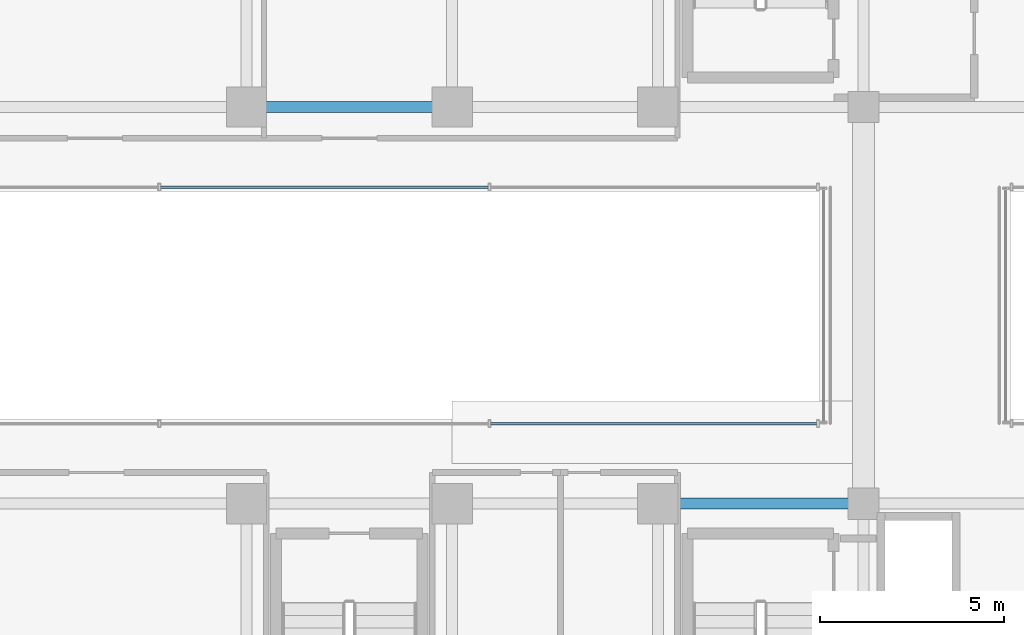
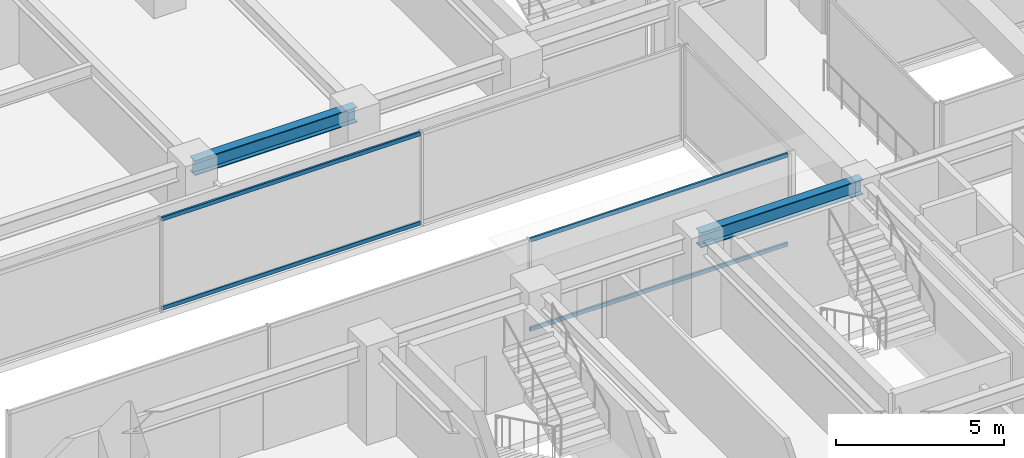
# One storey, part 11 of 37: 4 members, 2 beams, 2 elements without a shape of their own.
"""IFC4 building model written with IfcOpenShell, lengths in metres."""

from ifc_helpers import new_model, si_unit, direction, frame, origin, origin_2d, place, context, subcontext, project, spatial, hollow_rectangle, i_section, extrude, source, transform, mapped, material, material_profile, profile_set, type_object, element, aggregate, save


model = new_model("IFC4")

# Units and contexts
model_context = context("Model", 3, precision=1e-05, world=origin(), true_north=direction((0.0, 1.0)))
body_context = subcontext(model_context, "Body", "Model", "MODEL_VIEW")
ifc_project = project(units=[si_unit("LENGTHUNIT", "METRE"), si_unit("AREAUNIT", "SQUARE_METRE"), si_unit("VOLUMEUNIT", "CUBIC_METRE"), si_unit("PLANEANGLEUNIT", "RADIAN"), si_unit("MASSUNIT", "GRAM", prefix="KILO")], contexts=[model_context])

# Site, building, storey
site_placement = place(None, origin())
site = spatial("IfcSite", under=ifc_project, at=site_placement, CompositionType="ELEMENT")
building_placement = place(site_placement, origin())
building = spatial("IfcBuilding", under=site, at=building_placement, Name="Nahalor Promenade Grand Hotel", CompositionType="ELEMENT")
storey_placement = place(building_placement, frame((0.0, 0.0, 167.25)))
storey = spatial("IfcBuildingStorey", under=building, at=storey_placement, Name="L42", CompositionType="ELEMENT", Elevation=167.25)

# Beams
ifc_material_1 = material(Name="Steel S355JR", Category="steel")
ifc_material_profile_1 = material_profile(ifc_material_1, i_section(OverallWidth=0.3, OverallDepth=0.55, WebThickness=0.015, FlangeThickness=0.029, at=origin_2d()), Name="HEB 550")
ifc_profile_set_1 = profile_set([ifc_material_profile_1], Name="Steel S355JR")
beam_type = type_object("IfcBeamType", Name="Beam-Girder-HEB550", PredefinedType="BEAM", material=ifc_profile_set_1)
shared_shape_1 = source(origin(), body_context, "Body", "SweptSolid", [
    extrude(i_section(OverallWidth=0.3, OverallDepth=0.55, WebThickness=0.015, FlangeThickness=0.029, at=origin_2d()), origin(), (0.0, 0.0, 1.0), 5.599853515625),
])
for number, where, z_axis, x_axis, name in (
    (1, (2.800048828125, -5.39990234375, 3.114990234375), (1.0, 0.0, 0.0), (0.0, 1.0, 0.0), "BM-L42-GX-1-4"),
    (2, (-8.39990234375, 5.39990234375, 3.114990234375), (1.0, 0.0, 0.0), (0.0, 1.0, 0.0), "BM-L42-GX-2-2"),
):
    element("IfcBeam", number, at=place(storey_placement, frame(where, z_axis=z_axis, x_axis=x_axis)), inside=storey, type_object=beam_type, Name=name, PredefinedType="BEAM", context=body_context, shape_type="MappedRepresentation", body=[
        mapped(shared_shape_1, transform((0.0, 0.0, 0.0), scale=1.0)),
    ])

# Curtain wall, members
ifc_material_2 = material(Name="Anodised Bronze Aluminium EN AW-6063 T6", Category="aluminium")
curtain_wall_type = type_object("IfcCurtainWallType", Name="CW3 Elliptical-Void Collar Unitised Curtain Wall", PredefinedType="USERDEFINED", material=ifc_material_2)
curtain_wall_1_placement = place(storey_placement, origin())
curtain_wall_1 = element("IfcCurtainWall", 3, at=curtain_wall_1_placement, inside=storey, type_object=curtain_wall_type, Name="L42 Curtain Wall CW-L42-VOID-WS1", ObjectType="UNITISED_CURTAIN_WALL", PredefinedType="USERDEFINED")
ifc_material_profile_2 = material_profile(ifc_material_2, hollow_rectangle(XDim=0.07, YDim=0.14, WallThickness=0.004, at=origin_2d()), Name="CWT 70x140x4")
ifc_profile_set_2 = profile_set([ifc_material_profile_2], Name="Anodised Bronze Aluminium EN AW-6063 T6")
member_type = type_object("IfcMemberType", Name="CWT3 Void Collar Transom 70x140", PredefinedType="USERDEFINED", material=ifc_profile_set_2)
shared_shape_2 = source(origin(), body_context, "Body", "SweptSolid", [
    extrude(hollow_rectangle(XDim=0.07, YDim=0.14, WallThickness=0.004, at=origin_2d()), origin(), (0.0, 0.0, 1.0), 8.881591796875),
])
member_1_placement = place(storey_placement, frame((-1.751708984375, -3.219970703125, 0.070068359375), z_axis=(1.0, 0.0, 0.0), x_axis=(0.0, 1.0, 0.0)))
member_1 = element("IfcMember", 4, at=member_1_placement, type_object=member_type, Name="CW-L42-VOID-WS1 Transom 2-0", ObjectType="TRANSOM", PredefinedType="USERDEFINED", context=body_context, shape_type="MappedRepresentation", body=[
    mapped(shared_shape_2, transform((0.0, 0.0, 0.0), scale=1.0)),
])
member_2_placement = place(storey_placement, frame((-1.751708984375, -3.219970703125, 3.320068359375), z_axis=(1.0, 0.0, 0.0), x_axis=(0.0, 1.0, 0.0)))
member_2 = element("IfcMember", 5, at=member_2_placement, type_object=member_type, Name="CW-L42-VOID-WS1 Transom 2-1", ObjectType="TRANSOM", PredefinedType="USERDEFINED", context=body_context, shape_type="MappedRepresentation", body=[
    mapped(shared_shape_2, transform((0.0, 0.0, 0.0), scale=1.0)),
])
aggregate(curtain_wall_1, [member_1, member_2])

curtain_wall_2_placement = place(storey_placement, origin())
curtain_wall_2 = element("IfcCurtainWall", 6, at=curtain_wall_2_placement, inside=storey, type_object=curtain_wall_type, Name="L42 Curtain Wall CW-L42-VOID-WN1", ObjectType="UNITISED_CURTAIN_WALL", PredefinedType="USERDEFINED")
shared_shape_3 = source(origin(), body_context, "Body", "SweptSolid", [
    extrude(hollow_rectangle(XDim=0.07, YDim=0.14, WallThickness=0.004, at=origin_2d()), origin(), (0.0, 0.0, 1.0), 8.91650390625),
])
member_3_placement = place(storey_placement, frame((-10.73828125, 3.219970703125, 0.070068359375), z_axis=(1.0, 0.0, 0.0), x_axis=(0.0, 1.0, 0.0)))
member_3 = element("IfcMember", 7, at=member_3_placement, type_object=member_type, Name="CW-L42-VOID-WN1 Transom 1-0", ObjectType="TRANSOM", PredefinedType="USERDEFINED", context=body_context, shape_type="MappedRepresentation", body=[
    mapped(shared_shape_3, transform((0.0, 0.0, 0.0), scale=1.0)),
])
member_4_placement = place(storey_placement, frame((-10.73828125, 3.219970703125, 3.320068359375), z_axis=(1.0, 0.0, 0.0), x_axis=(0.0, 1.0, 0.0)))
member_4 = element("IfcMember", 8, at=member_4_placement, type_object=member_type, Name="CW-L42-VOID-WN1 Transom 1-1", ObjectType="TRANSOM", PredefinedType="USERDEFINED", context=body_context, shape_type="MappedRepresentation", body=[
    mapped(shared_shape_3, transform((0.0, 0.0, 0.0), scale=1.0)),
])
aggregate(curtain_wall_2, [member_3, member_4])

save(model, "model.ifc")
